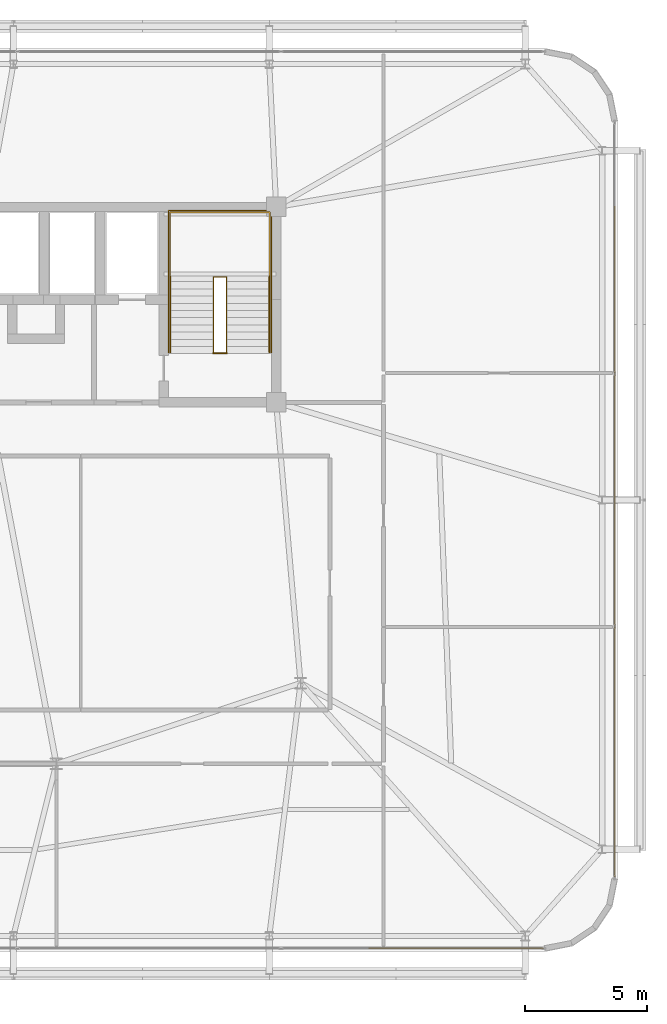
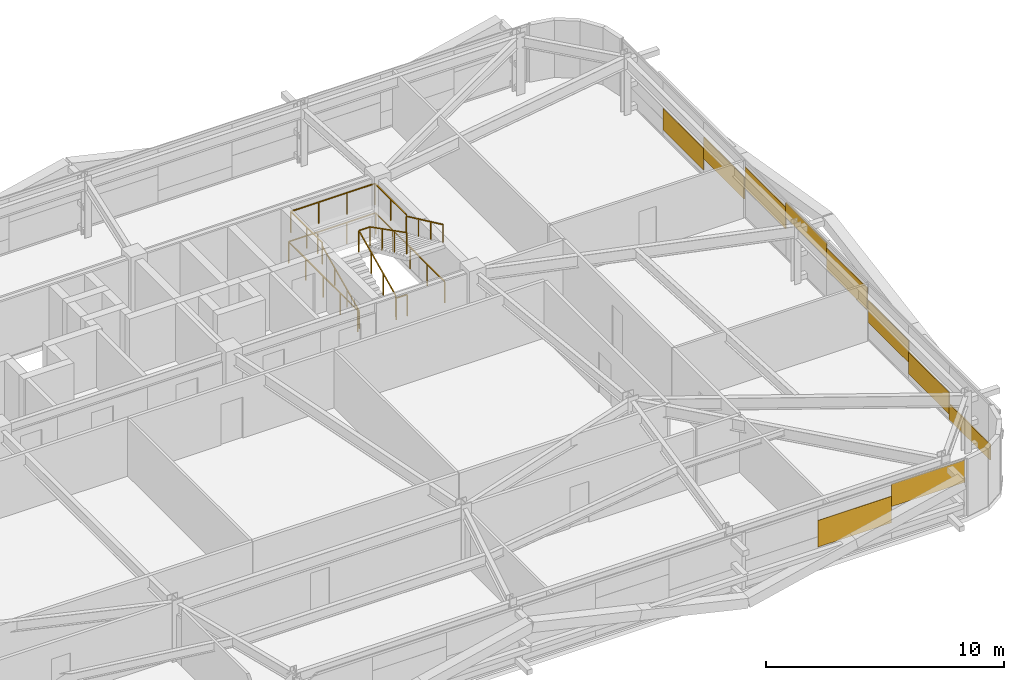
# One storey, part 43 of 44: 10 coverings, 6 railings.
"""IFC4 building model written with IfcOpenShell, lengths in metres."""

from ifc_helpers import new_model, si_unit, direction, frame, origin, origin_2d, place, context, subcontext, project, spatial, rectangle, extrude, source, transform, mapped, material, layer, layer_set, type_object, element, save


model = new_model("IFC4")

# Units and contexts
model_context = context("Model", 3, precision=1e-05, world=origin(), true_north=direction((0.0, 1.0)))
body_context = subcontext(model_context, "Body", "Model", "MODEL_VIEW")
ifc_project = project(units=[si_unit("LENGTHUNIT", "METRE"), si_unit("AREAUNIT", "SQUARE_METRE"), si_unit("VOLUMEUNIT", "CUBIC_METRE"), si_unit("PLANEANGLEUNIT", "RADIAN"), si_unit("MASSUNIT", "GRAM", prefix="KILO")], contexts=[model_context])

# Site, building, storey
site_placement = place(None, origin())
site = spatial("IfcSite", under=ifc_project, at=site_placement, CompositionType="ELEMENT")
building_placement = place(site_placement, origin())
building = spatial("IfcBuilding", under=site, at=building_placement, Name="Taldren Reach Tower", CompositionType="ELEMENT")
storey_placement = place(building_placement, frame((0.0, 0.0, 42.0)))
storey = spatial("IfcBuildingStorey", under=building, at=storey_placement, Name="L12", CompositionType="ELEMENT", Elevation=42.0)

# Railings
ifc_material_1 = material(Name="Steel Gr 350 (C350L0)", Category="steel")
ifc_layer_1 = layer(ifc_material_1, 0.050048828125)
ifc_layer_set_1 = layer_set([ifc_layer_1], Name="Steel Gr 350 (C350L0)")
railing_type_1 = type_object("IfcRailingType", Name="RL-STAIR-GR", PredefinedType="GUARDRAIL", material=ifc_layer_set_1)
railing_1_placement = place(storey_placement, frame((46.659912109375, 29.135009765625, 1.574951171875)))
element("IfcRailing", 1, at=railing_1_placement, inside=storey, type_object=railing_type_1, Name="Stair half-landing perimeter guard ST2-L12", PredefinedType="GUARDRAIL", context=body_context, shape_type="SweptSolid", body=[
    extrude(rectangle(XDim=0.047852, YDim=0.047852, at=origin_2d()), frame((0.0, 0.0, 1.09619140625), z_axis=(0.0, 1.0, 0.0), x_axis=(-1.0, 0.0, 0.0)), (0.0, 0.0, 1.0), 2.64501953125),
    extrude(rectangle(XDim=0.047852, YDim=0.047852, at=origin_2d()), frame((0.0, 2.64501953125, 1.09619140625), z_axis=(1.0, 0.0, 0.0), x_axis=(0.0, 1.0, 0.0)), (0.0, 0.0, 1.0), 4.080078125),
    extrude(rectangle(XDim=0.047852, YDim=0.047852, at=origin_2d()), frame((4.080078125, 2.64501953125, 1.09619140625), z_axis=(0.0, -1.0, 0.0), x_axis=(1.0, 0.0, 0.0)), (0.0, 0.0, 1.0), 2.64501953125),
    extrude(rectangle(XDim=0.041992, YDim=0.041992, at=origin_2d()), origin(), (0.0, 0.0, 1.0), 1.072021484375),
    extrude(rectangle(XDim=0.041992, YDim=0.041992, at=origin_2d()), frame((0.0, 1.322509765625, 0.0)), (0.0, 0.0, 1.0), 1.072021484375),
    extrude(rectangle(XDim=0.041992, YDim=0.041992, at=origin_2d()), frame((0.0, 2.64501953125, 0.0)), (0.0, 0.0, 1.0), 1.072021484375),
    extrude(rectangle(XDim=0.041992, YDim=0.041992, at=origin_2d()), frame((1.360107421875, 2.64501953125, 0.0)), (0.0, 0.0, 1.0), 1.072021484375),
    extrude(rectangle(XDim=0.041992, YDim=0.041992, at=origin_2d()), frame((2.719970703125, 2.64501953125, 0.0)), (0.0, 0.0, 1.0), 1.072021484375),
    extrude(rectangle(XDim=0.041992, YDim=0.041992, at=origin_2d()), frame((4.080078125, 2.64501953125, 0.0)), (0.0, 0.0, 1.0), 1.072021484375),
    extrude(rectangle(XDim=0.041992, YDim=0.041992, at=origin_2d()), frame((4.080078125, 1.322509765625, 0.0)), (0.0, 0.0, 1.0), 1.072021484375),
    extrude(rectangle(XDim=0.041992, YDim=0.041992, at=origin_2d()), frame((4.080078125, 0.0, 0.0)), (0.0, 0.0, 1.0), 1.072021484375),
])
railing_2_placement = place(storey_placement, frame((48.429931640625, 26.050048828125, 0.13134765625)))
element("IfcRailing", 2, at=railing_2_placement, inside=storey, type_object=railing_type_1, Name="Stairwell inner guard ST2-L12", PredefinedType="GUARDRAIL", context=body_context, shape_type="SweptSolid", body=[
    extrude(rectangle(XDim=0.047852, YDim=0.047852, at=origin_2d()), frame((0.0, 0.0, 1.09619140625), z_axis=(0.0, 0.905737652094, 0.423838773095), x_axis=(-1.0, 0.0, 0.0)), (0.0, 0.0, 1.0), 3.406005859375),
    extrude(rectangle(XDim=0.047852, YDim=0.047852, at=origin_2d()), frame((0.0, 3.0849609375, 2.53955078125), z_axis=(1.0, 0.0, 0.0), x_axis=(0.0, 1.0, 0.0)), (0.0, 0.0, 1.0), 0.5400390625),
    extrude(rectangle(XDim=0.047852, YDim=0.047852, at=origin_2d()), frame((0.5400390625, 3.0849609375, 2.53955078125), z_axis=(0.0, -0.890645957773, 0.45469745755), x_axis=(1.0, 0.0, 0.0)), (0.0, 0.0, 1.0), 3.463623046875),
    extrude(rectangle(XDim=0.041992, YDim=0.041992, at=origin_2d()), origin(), (0.0, 0.0, 1.0), 1.072021484375),
    extrude(rectangle(XDim=0.041992, YDim=0.041992, at=origin_2d()), frame((0.0, 1.0283203125, 0.481201171875)), (0.0, 0.0, 1.0), 1.072021484375),
    extrude(rectangle(XDim=0.041992, YDim=0.041992, at=origin_2d()), frame((0.0, 2.056640625, 0.96240234375)), (0.0, 0.0, 1.0), 1.072021484375),
    extrude(rectangle(XDim=0.041992, YDim=0.041992, at=origin_2d()), frame((0.0, 3.0849609375, 1.443603515625)), (0.0, 0.0, 1.0), 1.072021484375),
    extrude(rectangle(XDim=0.041992, YDim=0.041992, at=origin_2d()), frame((0.5400390625, 3.0849609375, 1.443603515625)), (0.0, 0.0, 1.0), 1.072021484375),
    extrude(rectangle(XDim=0.041992, YDim=0.041992, at=origin_2d()), frame((0.5400390625, 2.056640625, 1.968505859375)), (0.0, 0.0, 1.0), 1.072021484375),
    extrude(rectangle(XDim=0.041992, YDim=0.041992, at=origin_2d()), frame((0.5400390625, 1.0283203125, 2.49365234375)), (0.0, 0.0, 1.0), 1.072021484375),
    extrude(rectangle(XDim=0.041992, YDim=0.041992, at=origin_2d()), frame((0.5400390625, 0.0, 3.0185546875)), (0.0, 0.0, 1.0), 1.072021484375),
])
railing_3_placement = place(storey_placement, frame((48.429931640625, 26.010009765625, 0.0)))
element("IfcRailing", 3, at=railing_3_placement, inside=storey, type_object=railing_type_1, Name="Stairwell landing slot guard ST2-L12", PredefinedType="GUARDRAIL", context=body_context, shape_type="SweptSolid", body=[
    extrude(rectangle(XDim=0.047852, YDim=0.047852, at=origin_2d()), frame((0.0, 0.0, 1.09619140625), z_axis=(1.0, 0.0, 0.0), x_axis=(0.0, 1.0, 0.0)), (0.0, 0.0, 1.0), 0.5400390625),
    extrude(rectangle(XDim=0.041992, YDim=0.041992, at=origin_2d()), origin(), (0.0, 0.0, 1.0), 1.072021484375),
    extrude(rectangle(XDim=0.041992, YDim=0.041992, at=origin_2d()), frame((0.5400390625, 0.0, 0.0)), (0.0, 0.0, 1.0), 1.072021484375),
])
railing_4_placement = place(storey_placement, frame((46.590087890625, 26.050048828125, 0.0)))
element("IfcRailing", 4, at=railing_4_placement, inside=storey, type_object=railing_type_1, Name="Stairwell floor opening guard ST2-L12", PredefinedType="GUARDRAIL", context=body_context, shape_type="SweptSolid", body=[
    extrude(rectangle(XDim=0.047852, YDim=0.047852, at=origin_2d()), frame((0.0, 0.0, 1.09619140625), z_axis=(0.0, 1.0, 0.0), x_axis=(-1.0, 0.0, 0.0)), (0.0, 0.0, 1.0), 5.800048828125),
    extrude(rectangle(XDim=0.047852, YDim=0.047852, at=origin_2d()), frame((0.0, 5.800048828125, 1.09619140625), z_axis=(1.0, 0.0, 0.0), x_axis=(0.0, 1.0, 0.0)), (0.0, 0.0, 1.0), 4.219970703125),
    extrude(rectangle(XDim=0.047852, YDim=0.047852, at=origin_2d()), frame((4.219970703125, 5.800048828125, 1.09619140625), z_axis=(0.0, -1.0, 0.0), x_axis=(1.0, 0.0, 0.0)), (0.0, 0.0, 1.0), 5.800048828125),
    extrude(rectangle(XDim=0.041992, YDim=0.041992, at=origin_2d()), origin(), (0.0, 0.0, 1.0), 1.072021484375),
    extrude(rectangle(XDim=0.041992, YDim=0.041992, at=origin_2d()), frame((0.0, 1.449951171875, 0.0)), (0.0, 0.0, 1.0), 1.072021484375),
    extrude(rectangle(XDim=0.041992, YDim=0.041992, at=origin_2d()), frame((0.0, 2.89990234375, 0.0)), (0.0, 0.0, 1.0), 1.072021484375),
    extrude(rectangle(XDim=0.041992, YDim=0.041992, at=origin_2d()), frame((0.0, 4.35009765625, 0.0)), (0.0, 0.0, 1.0), 1.072021484375),
    extrude(rectangle(XDim=0.041992, YDim=0.041992, at=origin_2d()), frame((0.0, 5.800048828125, 0.0)), (0.0, 0.0, 1.0), 1.072021484375),
    extrude(rectangle(XDim=0.041992, YDim=0.041992, at=origin_2d()), frame((1.40673828125, 5.800048828125, 0.0)), (0.0, 0.0, 1.0), 1.072021484375),
    extrude(rectangle(XDim=0.041992, YDim=0.041992, at=origin_2d()), frame((2.813232421875, 5.800048828125, 0.0)), (0.0, 0.0, 1.0), 1.072021484375),
    extrude(rectangle(XDim=0.041992, YDim=0.041992, at=origin_2d()), frame((4.219970703125, 5.800048828125, 0.0)), (0.0, 0.0, 1.0), 1.072021484375),
    extrude(rectangle(XDim=0.041992, YDim=0.041992, at=origin_2d()), frame((4.219970703125, 4.35009765625, 0.0)), (0.0, 0.0, 1.0), 1.072021484375),
    extrude(rectangle(XDim=0.041992, YDim=0.041992, at=origin_2d()), frame((4.219970703125, 2.89990234375, 0.0)), (0.0, 0.0, 1.0), 1.072021484375),
    extrude(rectangle(XDim=0.041992, YDim=0.041992, at=origin_2d()), frame((4.219970703125, 1.449951171875, 0.0)), (0.0, 0.0, 1.0), 1.072021484375),
    extrude(rectangle(XDim=0.041992, YDim=0.041992, at=origin_2d()), frame((4.219970703125, 0.0, 0.0)), (0.0, 0.0, 1.0), 1.072021484375),
])
ifc_material_2 = material(Name="Stainless Steel Gr 316", Category="steel")
ifc_layer_2 = layer(ifc_material_2, 0.048095703125)
ifc_layer_set_2 = layer_set([ifc_layer_2], Name="Stainless Steel Gr 316")
railing_type_2 = type_object("IfcRailingType", Name="RL-STAIR-HR", PredefinedType="HANDRAIL", material=ifc_layer_set_2)
railing_5_placement = place(storey_placement, frame((46.669921875, 26.050048828125, 0.13134765625)))
element("IfcRailing", 5, at=railing_5_placement, inside=storey, type_object=railing_type_2, Name="Stair flight handrail ST2-L12-1", PredefinedType="HANDRAIL", context=body_context, shape_type="SweptSolid", body=[
    extrude(rectangle(XDim=0.047852, YDim=0.047852, at=origin_2d()), frame((0.0, 0.0, 0.89599609375), z_axis=(0.0, 0.905737652094, 0.423838773095), x_axis=(-1.0, 0.0, 0.0)), (0.0, 0.0, 1.0), 3.406005859375),
    extrude(rectangle(XDim=0.041992, YDim=0.041992, at=origin_2d()), origin(), (0.0, 0.0, 1.0), 0.871826171875),
    extrude(rectangle(XDim=0.041992, YDim=0.041992, at=origin_2d()), frame((0.0, 1.0283203125, 0.481201171875)), (0.0, 0.0, 1.0), 0.871826171875),
    extrude(rectangle(XDim=0.041992, YDim=0.041992, at=origin_2d()), frame((0.0, 2.056640625, 0.96240234375)), (0.0, 0.0, 1.0), 0.871826171875),
    extrude(rectangle(XDim=0.041992, YDim=0.041992, at=origin_2d()), frame((0.0, 3.0849609375, 1.443603515625)), (0.0, 0.0, 1.0), 0.871826171875),
])
railing_6_placement = place(storey_placement, frame((50.72998046875, 29.135009765625, 1.706298828125)))
element("IfcRailing", 6, at=railing_6_placement, inside=storey, type_object=railing_type_2, Name="Stair flight handrail ST2-L12-2", PredefinedType="HANDRAIL", context=body_context, shape_type="SweptSolid", body=[
    extrude(rectangle(XDim=0.047852, YDim=0.047852, at=origin_2d()), frame((0.0, 0.0, 0.89599609375), z_axis=(0.0, -0.905737652094, 0.423838773095), x_axis=(1.0, 0.0, 0.0)), (0.0, 0.0, 1.0), 3.406005859375),
    extrude(rectangle(XDim=0.041992, YDim=0.041992, at=origin_2d()), origin(), (0.0, 0.0, 1.0), 0.871826171875),
    extrude(rectangle(XDim=0.041992, YDim=0.041992, at=origin_2d()), frame((0.0, -1.0283203125, 0.481201171875)), (0.0, 0.0, 1.0), 0.871826171875),
    extrude(rectangle(XDim=0.041992, YDim=0.041992, at=origin_2d()), frame((0.0, -2.056640625, 0.96240234375)), (0.0, 0.0, 1.0), 0.871826171875),
    extrude(rectangle(XDim=0.041992, YDim=0.041992, at=origin_2d()), frame((0.0, -3.0849609375, 1.443603515625)), (0.0, 0.0, 1.0), 0.871826171875),
])

# Coverings
ifc_material_3 = material(Name="Pale Champagne Fluoropolymer Aluminium Spandrel Cladding", Category="aluminium")
ifc_layer_3 = layer(ifc_material_3, 0.0439453125)
ifc_layer_set_3 = layer_set([ifc_layer_3], Name="Pale Champagne Fluoropolymer Aluminium Spandrel Cladding")
covering_type = type_object("IfcCoveringType", Name="CV-CLAD-044", PredefinedType="CLADDING", material=ifc_layer_set_3)
shared_shape_1 = source(origin(), body_context, "Body", "SweptSolid", [
    extrude(rectangle(XDim=3.5673828125, YDim=0.0439453125, at=origin_2d()), origin(), (0.0, 0.0, 1.0), 1.36083984375),
])
covering_1_placement = place(storey_placement, frame((56.583740234375, 1.639892578125, 0.899169921875), z_axis=(0.0, 0.0, 1.0), x_axis=(1.0, 0.0, 0.0)))
element("IfcCovering", 7, at=covering_1_placement, inside=storey, type_object=covering_type, Name="Diagrid closure cladding strip CW-2 panel 5.1 2", PredefinedType="CLADDING", context=body_context, shape_type="MappedRepresentation", body=[
    mapped(shared_shape_1, transform((0.0, 0.0, 0.0), scale=1.0)),
])
shared_shape_2 = source(origin(), body_context, "Body", "SweptSolid", [
    extrude(rectangle(XDim=3.5673828125, YDim=0.0439453125, at=origin_2d()), origin(), (0.0, 0.0, 1.0), 1.1484375),
])
covering_2_placement = place(storey_placement, frame((60.1513671875, 1.639892578125, 1.7265625), z_axis=(0.0, 0.0, 1.0), x_axis=(1.0, 0.0, 0.0)))
element("IfcCovering", 8, at=covering_2_placement, inside=storey, type_object=covering_type, Name="Diagrid closure cladding strip CW-2 panel 5.1 3", PredefinedType="CLADDING", context=body_context, shape_type="MappedRepresentation", body=[
    mapped(shared_shape_2, transform((0.0, 0.0, 0.0), scale=1.0)),
])
shared_shape_3 = source(origin(), body_context, "Body", "SweptSolid", [
    extrude(rectangle(XDim=3.411865234375, YDim=0.0439453125, at=origin_2d()), origin(), (0.0, 0.0, 1.0), 1.107177734375),
])
for number, where, z_axis, x_axis, name in (
    (9, (64.860107421875, 9.682861328125, 0.34326171875), (0.0, 0.0, 1.0), (0.0, 1.0, 0.0), "Diagrid closure cladding strip CW-2 panel 1.1 2"),
    (10, (64.860107421875, 13.094970703125, 0.9228515625), (0.0, 0.0, 1.0), (0.0, 1.0, 0.0), "Diagrid closure cladding strip CW-2 panel 1.1 3"),
    (11, (64.860107421875, 26.905029296875, 0.9228515625), (0.0, 0.0, 1.0), (0.0, 1.0, 0.0), "Diagrid closure cladding strip CW-2 panel 3.1 1"),
    (12, (64.860107421875, 30.317138671875, 0.34326171875), (0.0, 0.0, 1.0), (0.0, 1.0, 0.0), "Diagrid closure cladding strip CW-2 panel 3.1 2"),
):
    element("IfcCovering", number, at=place(storey_placement, frame(where, z_axis=z_axis, x_axis=x_axis)), inside=storey, type_object=covering_type, Name=name, PredefinedType="CLADDING", context=body_context, shape_type="MappedRepresentation", body=[
        mapped(shared_shape_3, transform((0.0, 0.0, 0.0), scale=1.0)),
    ])
shared_shape_4 = source(origin(), body_context, "Body", "SweptSolid", [
    extrude(rectangle(XDim=3.411865234375, YDim=0.0439453125, at=origin_2d()), origin(), (0.0, 0.0, 1.0), 0.815673828125),
])
covering_3_placement = place(storey_placement, frame((64.860107421875, 6.27099609375, 0.05517578125), z_axis=(0.0, 0.0, 1.0), x_axis=(0.0, 1.0, 0.0)))
element("IfcCovering", 13, at=covering_3_placement, inside=storey, type_object=covering_type, Name="Diagrid closure cladding strip CW-2 panel 1.1 1", PredefinedType="CLADDING", context=body_context, shape_type="MappedRepresentation", body=[
    mapped(shared_shape_4, transform((0.0, 0.0, 0.0), scale=1.0)),
])
shared_shape_5 = source(origin(), body_context, "Body", "SweptSolid", [
    extrude(rectangle(XDim=3.4228515625, YDim=0.0439453125, at=origin_2d()), origin(), (0.0, 0.0, 1.0), 1.10888671875),
])
for number, where, z_axis, x_axis, name in (
    (14, (64.860107421875, 16.5771484375, 1.513916015625), (0.0, 0.0, 1.0), (0.0, 1.0, 0.0), "Diagrid closure cladding strip CW-2 panel 2.1 1"),
    (15, (64.860107421875, 23.4228515625, 1.513916015625), (0.0, 0.0, 1.0), (0.0, 1.0, 0.0), "Diagrid closure cladding strip CW-2 panel 2.1 3"),
):
    element("IfcCovering", number, at=place(storey_placement, frame(where, z_axis=z_axis, x_axis=x_axis)), inside=storey, type_object=covering_type, Name=name, PredefinedType="CLADDING", context=body_context, shape_type="MappedRepresentation", body=[
        mapped(shared_shape_5, transform((0.0, 0.0, 0.0), scale=1.0)),
    ])
shared_shape_6 = source(origin(), body_context, "Body", "SweptSolid", [
    extrude(rectangle(XDim=3.4228515625, YDim=0.0439453125, at=origin_2d()), origin(), (0.0, 0.0, 1.0), 0.779541015625),
])
covering_4_placement = place(storey_placement, frame((64.860107421875, 20.0, 2.095703125), z_axis=(0.0, 0.0, 1.0), x_axis=(0.0, 1.0, 0.0)))
element("IfcCovering", 16, at=covering_4_placement, inside=storey, type_object=covering_type, Name="Diagrid closure cladding strip CW-2 panel 2.1 2", PredefinedType="CLADDING", context=body_context, shape_type="MappedRepresentation", body=[
    mapped(shared_shape_6, transform((0.0, 0.0, 0.0), scale=1.0)),
])

save(model, "model.ifc")
